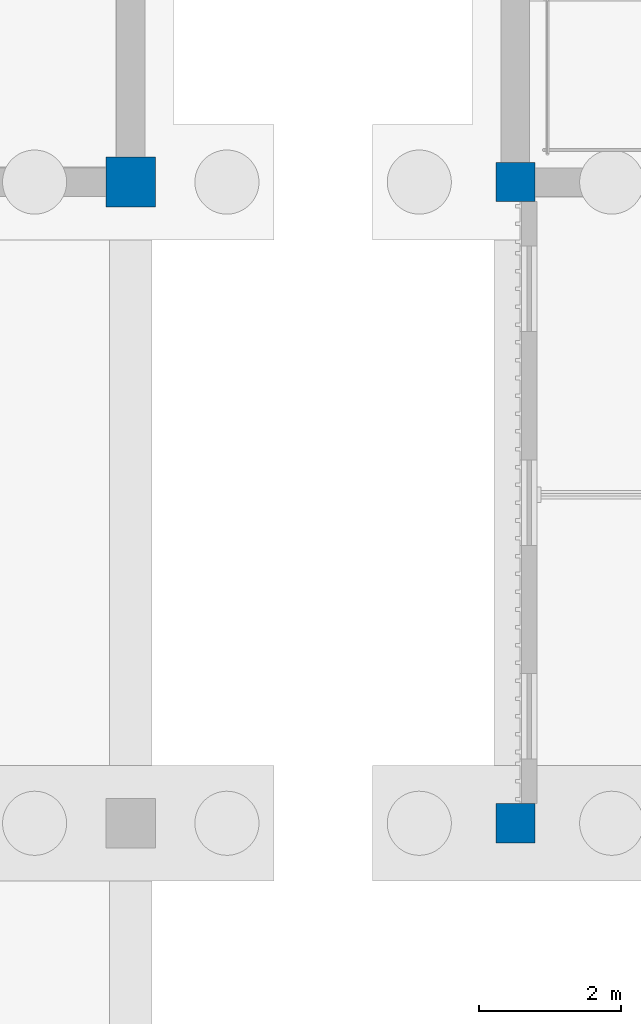
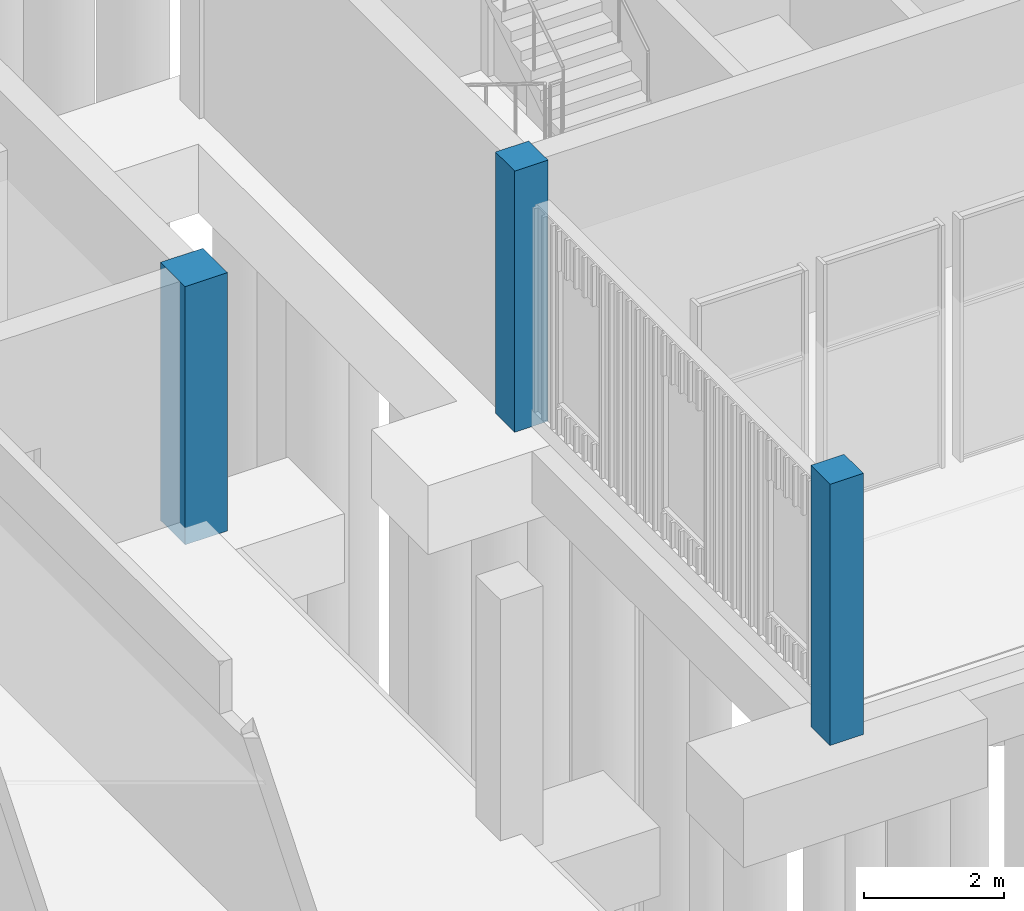
# One storey, part 19 of 106: 3 columns.
"""IFC4 building model written with IfcOpenShell, lengths in metres."""

from ifc_helpers import new_model, si_unit, direction, frame, origin, origin_2d, place, context, subcontext, project, spatial, rectangle, extrude, material, material_profile, profile_set, type_object, element, save


model = new_model("IFC4")

# Units and contexts
model_context = context("Model", 3, precision=1e-05, world=origin(), true_north=direction((0.0, 1.0)))
body_context = subcontext(model_context, "Body", "Model", "MODEL_VIEW")
ifc_project = project(units=[si_unit("LENGTHUNIT", "METRE"), si_unit("AREAUNIT", "SQUARE_METRE"), si_unit("VOLUMEUNIT", "CUBIC_METRE"), si_unit("PLANEANGLEUNIT", "RADIAN"), si_unit("MASSUNIT", "GRAM", prefix="KILO")], contexts=[model_context])

# Site, building, storey
site_placement = place(None, origin())
site = spatial("IfcSite", under=ifc_project, at=site_placement, CompositionType="ELEMENT")
building_placement = place(site_placement, origin())
building = spatial("IfcBuilding", under=site, at=building_placement, Name="Merrow Basin Faculty of Sciences", CompositionType="ELEMENT")
storey_placement = place(building_placement, origin())
storey = spatial("IfcBuildingStorey", under=building, at=storey_placement, Name="L00", CompositionType="ELEMENT", Elevation=0.0)

# Columns
ifc_material_1 = material(Name="Concrete C40/50", Category="concrete")
ifc_material_profile_1 = material_profile(ifc_material_1, rectangle(XDim=0.550048828125, YDim=0.550048828125, at=origin_2d()))
ifc_profile_set_1 = profile_set([ifc_material_profile_1], Name="Concrete C40/50")
column_type_1 = type_object("IfcColumnType", Name="Column RC550x550 C40/50", PredefinedType="COLUMN", material=ifc_profile_set_1)
for number, where, z_axis, x_axis, name in (
    (1, (27.0, 115.0, -0.300048828125), (0.0, 0.0, 1.0), (1.0, 0.0, 0.0), "Column D7 L00"),
    (2, (27.0, 124.0, -0.300048828125), (0.0, 0.0, 1.0), (1.0, 0.0, 0.0), "Column D8 L00"),
):
    element("IfcColumn", number, at=place(storey_placement, frame(where, z_axis=z_axis, x_axis=x_axis)), inside=storey, type_object=column_type_1, Name=name, PredefinedType="COLUMN", context=body_context, shape_type="SweptSolid", body=[
        extrude(rectangle(XDim=0.550048828125, YDim=0.550048828125, at=origin_2d()), origin(), (0.0, 0.0, 1.0), 4.550048828125),
    ])
ifc_material_2 = material(Name="Concrete C40/50", Category="concrete")
ifc_material_profile_2 = material_profile(ifc_material_2, rectangle(XDim=0.699951171875, YDim=0.699951171875, at=origin_2d()))
ifc_profile_set_2 = profile_set([ifc_material_profile_2], Name="Concrete C40/50")
column_type_2 = type_object("IfcColumnType", Name="Column RC700x700 C40/50", PredefinedType="COLUMN", material=ifc_profile_set_2)
column_placement = place(storey_placement, frame((21.60009765625, 124.0, -0.300048828125), z_axis=(0.0, 0.0, 1.0), x_axis=(1.0, 0.0, 0.0)))
element("IfcColumn", 3, at=column_placement, inside=storey, type_object=column_type_2, Name="Column C8 L00", PredefinedType="COLUMN", context=body_context, shape_type="SweptSolid", body=[
    extrude(rectangle(XDim=0.699951171875, YDim=0.699951171875, at=origin_2d()), origin(), (0.0, 0.0, 1.0), 4.5),
])

save(model, "model.ifc")
